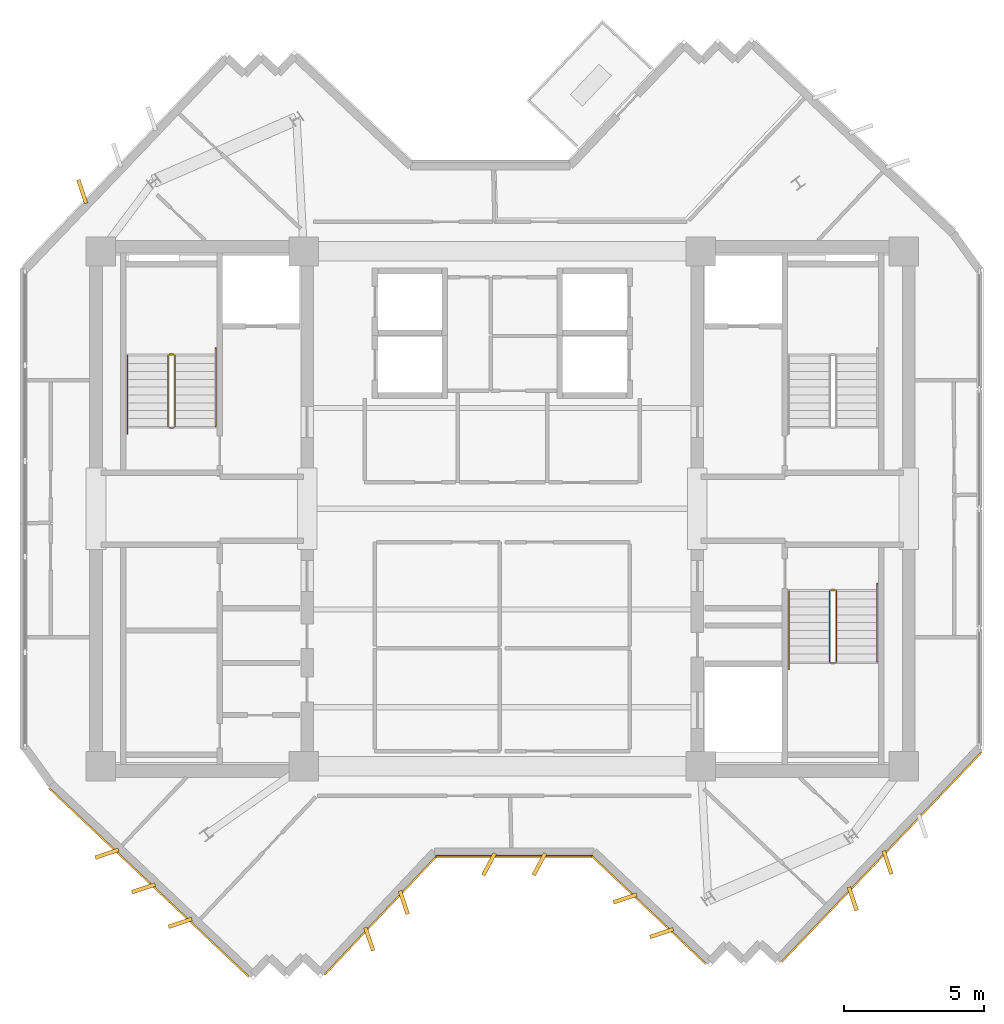
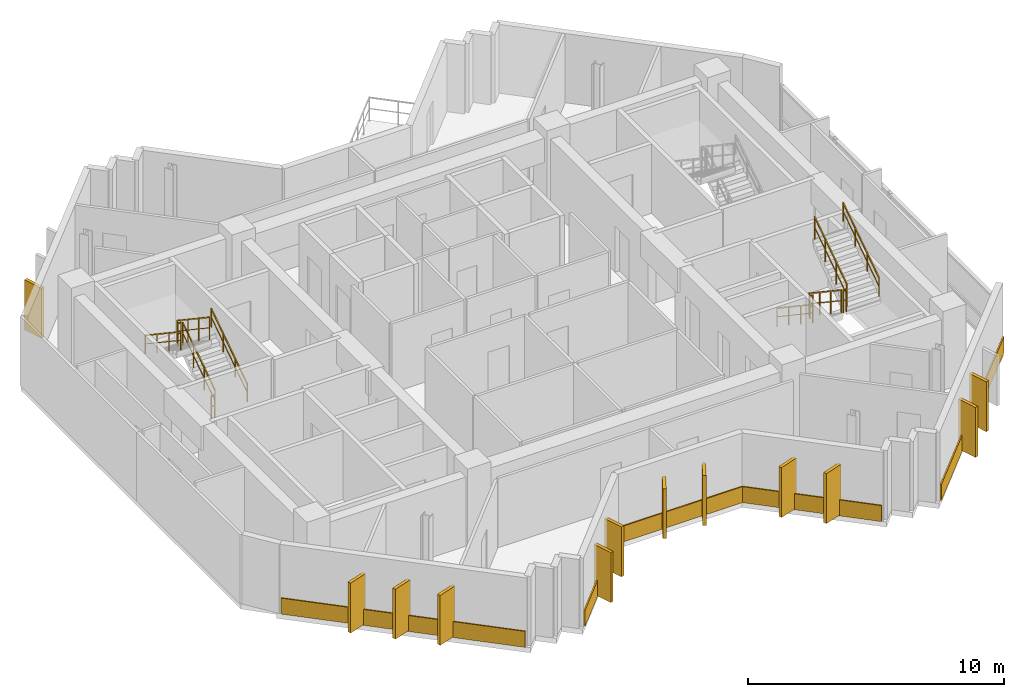
# One storey, part 8 of 9: 17 coverings, 12 railings.
"""IFC4 building model written with IfcOpenShell, lengths in metres."""

from ifc_helpers import new_model, si_unit, direction, frame, origin, origin_2d, place, context, subcontext, project, spatial, rectangle, extrude, source, transform, mapped, material, layer, layer_set, type_object, element, save


model = new_model("IFC4")

# Units and contexts
model_context = context("Model", 3, precision=1e-05, world=origin(), true_north=direction((0.0, 1.0)))
body_context = subcontext(model_context, "Body", "Model", "MODEL_VIEW")
ifc_project = project(units=[si_unit("LENGTHUNIT", "METRE"), si_unit("AREAUNIT", "SQUARE_METRE"), si_unit("VOLUMEUNIT", "CUBIC_METRE"), si_unit("PLANEANGLEUNIT", "RADIAN"), si_unit("MASSUNIT", "GRAM", prefix="KILO")], contexts=[model_context])

# Site, building, storey
site_placement = place(None, origin())
site = spatial("IfcSite", under=ifc_project, at=site_placement, CompositionType="ELEMENT")
building_placement = place(site_placement, origin())
building = spatial("IfcBuilding", under=site, at=building_placement, Name="Zahravan Cultural Tower", CompositionType="ELEMENT")
storey_placement = place(building_placement, frame((0.0, 0.0, 310.35009765625)))
storey = spatial("IfcBuildingStorey", under=building, at=storey_placement, Name="L75", CompositionType="ELEMENT", Elevation=310.35009765625)

# Railings
ifc_material_1 = material(Name="Steel ASTM A572 Grade 50", Category="steel")
railing_type_1 = type_object("IfcRailingType", Name="RL-STAIR-GRD1150", PredefinedType="BALUSTRADE", material=ifc_material_1)
railing_1_placement = place(storey_placement, frame((24.300048828125, 29.949951171875, 0.1875)))
element("IfcRailing", 1, at=railing_1_placement, inside=storey, type_object=railing_type_1, Name="L75 ST-W1 stair guard 1", PredefinedType="BALUSTRADE", context=body_context, shape_type="SweptSolid", body=[
    extrude(rectangle(XDim=0.05, YDim=0.05, at=origin_2d()), frame((0.0, 0.0, 1.0751953125), z_axis=(0.0, 0.830909170722, 0.55640807867), x_axis=(-1.0, 0.0, 0.0)), (0.0, 0.0, 1.0), 3.032958984375),
    extrude(rectangle(XDim=0.032, YDim=0.032, at=origin_2d()), frame((0.0, 0.0, 0.572021484375), z_axis=(0.0, 0.830909170722, 0.55640807867), x_axis=(-1.0, 0.0, 0.0)), (0.0, 0.0, 1.0), 3.032958984375),
    extrude(rectangle(XDim=0.04, YDim=0.04, at=origin_2d()), origin(), (0.0, 0.0, 1.0), 1.10009765625),
    extrude(rectangle(XDim=0.04, YDim=0.04, at=origin_2d()), frame((0.0, 0.840087890625, 0.5625)), (0.0, 0.0, 1.0), 1.10009765625),
    extrude(rectangle(XDim=0.04, YDim=0.04, at=origin_2d()), frame((0.0, 1.679931640625, 1.125)), (0.0, 0.0, 1.0), 1.10009765625),
    extrude(rectangle(XDim=0.04, YDim=0.04, at=origin_2d()), frame((0.0, 2.52001953125, 1.6875)), (0.0, 0.0, 1.0), 1.10009765625),
])
railing_2_placement = place(storey_placement, frame((24.25, 32.52001953125, 1.875)))
element("IfcRailing", 2, at=railing_2_placement, inside=storey, type_object=railing_type_1, Name="L75 ST-W1 stair guard 2", PredefinedType="BALUSTRADE", context=body_context, shape_type="SweptSolid", body=[
    extrude(rectangle(XDim=0.05, YDim=0.05, at=origin_2d()), frame((0.0, 0.0, 1.0751953125), z_axis=(-1.0, 0.0, 0.0), x_axis=(0.0, -1.0, 0.0)), (0.0, 0.0, 1.0), 0.14990234375),
    extrude(rectangle(XDim=0.032, YDim=0.032, at=origin_2d()), frame((0.0, 0.0, 0.572021484375), z_axis=(-1.0, 0.0, 0.0), x_axis=(0.0, -1.0, 0.0)), (0.0, 0.0, 1.0), 0.14990234375),
    extrude(rectangle(XDim=0.04, YDim=0.04, at=origin_2d()), origin(), (0.0, 0.0, 1.0), 1.10009765625),
    extrude(rectangle(XDim=0.04, YDim=0.04, at=origin_2d()), frame((-0.14990234375, 0.0, 0.0)), (0.0, 0.0, 1.0), 1.10009765625),
])
railing_3_placement = place(storey_placement, frame((24.050048828125, 32.469970703125, 2.0625)))
element("IfcRailing", 3, at=railing_3_placement, inside=storey, type_object=railing_type_1, Name="L75 ST-W1 stair guard 3", PredefinedType="BALUSTRADE", context=body_context, shape_type="SweptSolid", body=[
    extrude(rectangle(XDim=0.05, YDim=0.05, at=origin_2d()), frame((0.0, 0.0, 1.0751953125), z_axis=(0.0, -0.830909170722, 0.55640807867), x_axis=(1.0, 0.0, 0.0)), (0.0, 0.0, 1.0), 3.032958984375),
    extrude(rectangle(XDim=0.032, YDim=0.032, at=origin_2d()), frame((0.0, 0.0, 0.572021484375), z_axis=(0.0, -0.830909170722, 0.55640807867), x_axis=(1.0, 0.0, 0.0)), (0.0, 0.0, 1.0), 3.032958984375),
    extrude(rectangle(XDim=0.04, YDim=0.04, at=origin_2d()), origin(), (0.0, 0.0, 1.0), 1.10009765625),
    extrude(rectangle(XDim=0.04, YDim=0.04, at=origin_2d()), frame((0.0, -0.840087890625, 0.5625)), (0.0, 0.0, 1.0), 1.10009765625),
    extrude(rectangle(XDim=0.04, YDim=0.04, at=origin_2d()), frame((0.0, -1.679931640625, 1.125)), (0.0, 0.0, 1.0), 1.10009765625),
    extrude(rectangle(XDim=0.04, YDim=0.04, at=origin_2d()), frame((0.0, -2.52001953125, 1.6875)), (0.0, 0.0, 1.0), 1.10009765625),
])
railing_4_placement = place(storey_placement, frame((24.25, 29.89990234375, 0.0)))
element("IfcRailing", 4, at=railing_4_placement, inside=storey, type_object=railing_type_1, Name="L75 ST-W1 stair guard 4", PredefinedType="BALUSTRADE", context=body_context, shape_type="SweptSolid", body=[
    extrude(rectangle(XDim=0.05, YDim=0.05, at=origin_2d()), frame((0.0, 0.0, 1.0751953125), z_axis=(-1.0, 0.0, 0.0), x_axis=(0.0, -1.0, 0.0)), (0.0, 0.0, 1.0), 0.14990234375),
    extrude(rectangle(XDim=0.032, YDim=0.032, at=origin_2d()), frame((0.0, 0.0, 0.572021484375), z_axis=(-1.0, 0.0, 0.0), x_axis=(0.0, -1.0, 0.0)), (0.0, 0.0, 1.0), 0.14990234375),
    extrude(rectangle(XDim=0.04, YDim=0.04, at=origin_2d()), origin(), (0.0, 0.0, 1.0), 1.10009765625),
    extrude(rectangle(XDim=0.04, YDim=0.04, at=origin_2d()), frame((-0.14990234375, 0.0, 0.0)), (0.0, 0.0, 1.0), 1.10009765625),
])
railing_5_placement = place(storey_placement, frame((47.699951171875, 24.050048828125, 0.1875)))
element("IfcRailing", 5, at=railing_5_placement, inside=storey, type_object=railing_type_1, Name="L75 ST-E2 stair guard 1", PredefinedType="BALUSTRADE", context=body_context, shape_type="SweptSolid", body=[
    extrude(rectangle(XDim=0.05, YDim=0.05, at=origin_2d()), frame((0.0, 0.0, 1.0751953125), z_axis=(0.0, -0.830909170722, 0.55640807867), x_axis=(1.0, 0.0, 0.0)), (0.0, 0.0, 1.0), 3.032958984375),
    extrude(rectangle(XDim=0.032, YDim=0.032, at=origin_2d()), frame((0.0, 0.0, 0.572021484375), z_axis=(0.0, -0.830909170722, 0.55640807867), x_axis=(1.0, 0.0, 0.0)), (0.0, 0.0, 1.0), 3.032958984375),
    extrude(rectangle(XDim=0.04, YDim=0.04, at=origin_2d()), origin(), (0.0, 0.0, 1.0), 1.10009765625),
    extrude(rectangle(XDim=0.04, YDim=0.04, at=origin_2d()), frame((0.0, -0.840087890625, 0.5625)), (0.0, 0.0, 1.0), 1.10009765625),
    extrude(rectangle(XDim=0.04, YDim=0.04, at=origin_2d()), frame((0.0, -1.679931640625, 1.125)), (0.0, 0.0, 1.0), 1.10009765625),
    extrude(rectangle(XDim=0.04, YDim=0.04, at=origin_2d()), frame((0.0, -2.52001953125, 1.6875)), (0.0, 0.0, 1.0), 1.10009765625),
])
railing_6_placement = place(storey_placement, frame((47.75, 21.47998046875, 1.875)))
element("IfcRailing", 6, at=railing_6_placement, inside=storey, type_object=railing_type_1, Name="L75 ST-E2 stair guard 2", PredefinedType="BALUSTRADE", context=body_context, shape_type="SweptSolid", body=[
    extrude(rectangle(XDim=0.05, YDim=0.05, at=origin_2d()), frame((0.0, 0.0, 1.0751953125), z_axis=(1.0, 0.0, 0.0), x_axis=(0.0, 1.0, 0.0)), (0.0, 0.0, 1.0), 0.14990234375),
    extrude(rectangle(XDim=0.032, YDim=0.032, at=origin_2d()), frame((0.0, 0.0, 0.572021484375), z_axis=(1.0, 0.0, 0.0), x_axis=(0.0, 1.0, 0.0)), (0.0, 0.0, 1.0), 0.14990234375),
    extrude(rectangle(XDim=0.04, YDim=0.04, at=origin_2d()), origin(), (0.0, 0.0, 1.0), 1.10009765625),
    extrude(rectangle(XDim=0.04, YDim=0.04, at=origin_2d()), frame((0.14990234375, 0.0, 0.0)), (0.0, 0.0, 1.0), 1.10009765625),
])
railing_7_placement = place(storey_placement, frame((47.949951171875, 21.530029296875, 2.0625)))
element("IfcRailing", 7, at=railing_7_placement, inside=storey, type_object=railing_type_1, Name="L75 ST-E2 stair guard 3", PredefinedType="BALUSTRADE", context=body_context, shape_type="SweptSolid", body=[
    extrude(rectangle(XDim=0.05, YDim=0.05, at=origin_2d()), frame((0.0, 0.0, 1.0751953125), z_axis=(0.0, 0.830909170722, 0.55640807867), x_axis=(-1.0, 0.0, 0.0)), (0.0, 0.0, 1.0), 3.032958984375),
    extrude(rectangle(XDim=0.032, YDim=0.032, at=origin_2d()), frame((0.0, 0.0, 0.572021484375), z_axis=(0.0, 0.830909170722, 0.55640807867), x_axis=(-1.0, 0.0, 0.0)), (0.0, 0.0, 1.0), 3.032958984375),
    extrude(rectangle(XDim=0.04, YDim=0.04, at=origin_2d()), origin(), (0.0, 0.0, 1.0), 1.10009765625),
    extrude(rectangle(XDim=0.04, YDim=0.04, at=origin_2d()), frame((0.0, 0.840087890625, 0.5625)), (0.0, 0.0, 1.0), 1.10009765625),
    extrude(rectangle(XDim=0.04, YDim=0.04, at=origin_2d()), frame((0.0, 1.679931640625, 1.125)), (0.0, 0.0, 1.0), 1.10009765625),
    extrude(rectangle(XDim=0.04, YDim=0.04, at=origin_2d()), frame((0.0, 2.52001953125, 1.6875)), (0.0, 0.0, 1.0), 1.10009765625),
])
railing_8_placement = place(storey_placement, frame((47.75, 24.10009765625, 0.0)))
element("IfcRailing", 8, at=railing_8_placement, inside=storey, type_object=railing_type_1, Name="L75 ST-E2 stair guard 4", PredefinedType="BALUSTRADE", context=body_context, shape_type="SweptSolid", body=[
    extrude(rectangle(XDim=0.05, YDim=0.05, at=origin_2d()), frame((0.0, 0.0, 1.0751953125), z_axis=(1.0, 0.0, 0.0), x_axis=(0.0, 1.0, 0.0)), (0.0, 0.0, 1.0), 0.14990234375),
    extrude(rectangle(XDim=0.032, YDim=0.032, at=origin_2d()), frame((0.0, 0.0, 0.572021484375), z_axis=(1.0, 0.0, 0.0), x_axis=(0.0, 1.0, 0.0)), (0.0, 0.0, 1.0), 0.14990234375),
    extrude(rectangle(XDim=0.04, YDim=0.04, at=origin_2d()), origin(), (0.0, 0.0, 1.0), 1.10009765625),
    extrude(rectangle(XDim=0.04, YDim=0.04, at=origin_2d()), frame((0.14990234375, 0.0, 0.0)), (0.0, 0.0, 1.0), 1.10009765625),
])
railing_type_2 = type_object("IfcRailingType", Name="RL-STAIR-HR900", PredefinedType="HANDRAIL", material=ifc_material_1)
railing_9_placement = place(storey_placement, frame((25.75, 29.949951171875, 0.1875)))
element("IfcRailing", 9, at=railing_9_placement, inside=storey, type_object=railing_type_2, Name="L75 ST-W1 stair handrail 1", PredefinedType="HANDRAIL", context=body_context, shape_type="SweptSolid", body=[
    extrude(rectangle(XDim=0.05, YDim=0.05, at=origin_2d()), frame((0.0, 0.0, 0.875), z_axis=(0.0, 0.830911662861, 0.55640435703), x_axis=(-1.0, 0.0, 0.0)), (0.0, 0.0, 1.0), 3.369873046875),
    extrude(rectangle(XDim=0.032, YDim=0.032, at=origin_2d()), frame((0.0, 0.0, 0.468017578125), z_axis=(0.0, 0.830911662861, 0.55640435703), x_axis=(-1.0, 0.0, 0.0)), (0.0, 0.0, 1.0), 3.369873046875),
    extrude(rectangle(XDim=0.04, YDim=0.04, at=origin_2d()), origin(), (0.0, 0.0, 1.0), 0.89990234375),
    extrude(rectangle(XDim=0.04, YDim=0.04, at=origin_2d()), frame((0.0, 0.933349609375, 0.625)), (0.0, 0.0, 1.0), 0.89990234375),
    extrude(rectangle(XDim=0.04, YDim=0.04, at=origin_2d()), frame((0.0, 1.86669921875, 1.25)), (0.0, 0.0, 1.0), 0.89990234375),
    extrude(rectangle(XDim=0.04, YDim=0.04, at=origin_2d()), frame((0.0, 2.800048828125, 1.875)), (0.0, 0.0, 1.0), 0.89990234375),
])
for number, where, name in (
    (10, (22.60009765625, 32.469970703125, 2.0625), "L75 ST-W1 stair handrail 2"),
    (11, (46.25, 24.050048828125, 0.1875), "L75 ST-E2 stair handrail 1"),
):
    element("IfcRailing", number, at=place(storey_placement, frame(where)), inside=storey, type_object=railing_type_2, Name=name, PredefinedType="HANDRAIL", context=body_context, shape_type="SweptSolid", body=[
        extrude(rectangle(XDim=0.05, YDim=0.05, at=origin_2d()), frame((0.0, 0.0, 0.875), z_axis=(0.0, -0.830911662861, 0.55640435703), x_axis=(1.0, 0.0, 0.0)), (0.0, 0.0, 1.0), 3.369873046875),
        extrude(rectangle(XDim=0.032, YDim=0.032, at=origin_2d()), frame((0.0, 0.0, 0.468017578125), z_axis=(0.0, -0.830911662861, 0.55640435703), x_axis=(1.0, 0.0, 0.0)), (0.0, 0.0, 1.0), 3.369873046875),
        extrude(rectangle(XDim=0.04, YDim=0.04, at=origin_2d()), origin(), (0.0, 0.0, 1.0), 0.89990234375),
        extrude(rectangle(XDim=0.04, YDim=0.04, at=origin_2d()), frame((0.0, -0.933349609375, 0.625)), (0.0, 0.0, 1.0), 0.89990234375),
        extrude(rectangle(XDim=0.04, YDim=0.04, at=origin_2d()), frame((0.0, -1.86669921875, 1.25)), (0.0, 0.0, 1.0), 0.89990234375),
        extrude(rectangle(XDim=0.04, YDim=0.04, at=origin_2d()), frame((0.0, -2.800048828125, 1.875)), (0.0, 0.0, 1.0), 0.89990234375),
    ])
railing_10_placement = place(storey_placement, frame((49.39990234375, 21.530029296875, 2.0625)))
element("IfcRailing", 12, at=railing_10_placement, inside=storey, type_object=railing_type_2, Name="L75 ST-E2 stair handrail 2", PredefinedType="HANDRAIL", context=body_context, shape_type="SweptSolid", body=[
    extrude(rectangle(XDim=0.05, YDim=0.05, at=origin_2d()), frame((0.0, 0.0, 0.875), z_axis=(0.0, 0.830911662861, 0.55640435703), x_axis=(-1.0, 0.0, 0.0)), (0.0, 0.0, 1.0), 3.369873046875),
    extrude(rectangle(XDim=0.032, YDim=0.032, at=origin_2d()), frame((0.0, 0.0, 0.468017578125), z_axis=(0.0, 0.830911662861, 0.55640435703), x_axis=(-1.0, 0.0, 0.0)), (0.0, 0.0, 1.0), 3.369873046875),
    extrude(rectangle(XDim=0.04, YDim=0.04, at=origin_2d()), origin(), (0.0, 0.0, 1.0), 0.89990234375),
    extrude(rectangle(XDim=0.04, YDim=0.04, at=origin_2d()), frame((0.0, 0.933349609375, 0.625)), (0.0, 0.0, 1.0), 0.89990234375),
    extrude(rectangle(XDim=0.04, YDim=0.04, at=origin_2d()), frame((0.0, 1.86669921875, 1.25)), (0.0, 0.0, 1.0), 0.89990234375),
    extrude(rectangle(XDim=0.04, YDim=0.04, at=origin_2d()), frame((0.0, 2.800048828125, 1.875)), (0.0, 0.0, 1.0), 0.89990234375),
])

# Coverings
ifc_material_2 = material(Name="Terracotta ceramic cladding", Category="masonry")
ifc_layer = layer(ifc_material_2, 0.06005859375)
ifc_layer_set = layer_set([ifc_layer], Name="Terracotta ceramic cladding")
covering_type = type_object("IfcCoveringType", Name="COV-CLAD-TC60", PredefinedType="CLADDING", material=ifc_layer_set)
shared_shape_1 = source(origin(), body_context, "Body", "SweptSolid", [
    extrude(rectangle(XDim=9.820068359375, YDim=0.06005859375, at=origin_2d()), origin(), (0.0, 0.0, 1.0), 0.760009765625),
])
covering_1_placement = place(storey_placement, frame((23.371826171875, 13.63818359375, 0.02001953125), z_axis=(0.0, 0.0, 1.0), x_axis=(-0.726766513668, 0.686884586092, 0.0)))
element("IfcCovering", 13, at=covering_1_placement, inside=storey, type_object=covering_type, Name="L75 Terracotta Spandrel Cladding 20", PredefinedType="CLADDING", context=body_context, shape_type="MappedRepresentation", body=[
    mapped(shared_shape_1, transform((0.0, 0.0, 0.0), x_axis=(1.0, 0.0, 0.0), y_axis=(0.0, 1.0, 0.0), z_axis=(0.0, 0.0, 1.0), scale=1.0)),
])
shared_shape_2 = source(origin(), body_context, "Body", "SweptSolid", [
    extrude(rectangle(XDim=5.84521484375, YDim=0.06005859375, at=origin_2d()), origin(), (0.0, 0.0, 1.0), 0.760009765625),
])
covering_2_placement = place(storey_placement, frame((31.65478515625, 12.46630859375, 0.02001953125), z_axis=(0.0, 0.0, 1.0), x_axis=(-0.686871901519, -0.726778501955, 0.0)))
element("IfcCovering", 14, at=covering_2_placement, inside=storey, type_object=covering_type, Name="L75 Terracotta Spandrel Cladding 15", PredefinedType="CLADDING", context=body_context, shape_type="MappedRepresentation", body=[
    mapped(shared_shape_2, transform((0.0, 0.0, 0.0), x_axis=(1.0, 0.0, 0.0), y_axis=(0.0, 1.0, 0.0), z_axis=(0.0, 0.0, 1.0), scale=1.0)),
])
shared_shape_3 = source(origin(), body_context, "Body", "SweptSolid", [
    extrude(rectangle(XDim=10.3701171875, YDim=0.06005859375, at=origin_2d()), origin(), (0.0, 0.0, 1.0), 0.760009765625),
])
covering_3_placement = place(storey_placement, frame((49.56689453125, 14.555419921875, 0.02001953125), z_axis=(0.0, 0.0, 1.0), x_axis=(-0.690061786457, -0.723750461742, 0.0)))
element("IfcCovering", 15, at=covering_3_placement, inside=storey, type_object=covering_type, Name="L75 Terracotta Spandrel Cladding 08", PredefinedType="CLADDING", context=body_context, shape_type="MappedRepresentation", body=[
    mapped(shared_shape_3, transform((0.0, 0.0, 0.0), x_axis=(1.0, 0.0, 0.0), y_axis=(0.0, 1.0, 0.0), z_axis=(0.0, 0.0, 1.0), scale=1.0)),
])
shared_shape_4 = source(origin(), body_context, "Body", "SweptSolid", [
    extrude(rectangle(XDim=5.617919921875, YDim=0.06005859375, at=origin_2d()), origin(), (0.0, 0.0, 1.0), 0.760009765625),
])
covering_4_placement = place(storey_placement, frame((41.240478515625, 12.65625, 0.02001953125), z_axis=(0.0, 0.0, 1.0), x_axis=(-0.726766513668, 0.686884586092, 0.0)))
element("IfcCovering", 16, at=covering_4_placement, inside=storey, type_object=covering_type, Name="L75 Terracotta Spandrel Cladding 13", PredefinedType="CLADDING", context=body_context, shape_type="MappedRepresentation", body=[
    mapped(shared_shape_4, transform((0.0, 0.0, 0.0), x_axis=(1.0, 0.0, 0.0), y_axis=(0.0, 1.0, 0.0), z_axis=(0.0, 0.0, 1.0), scale=1.0)),
])
shared_shape_5 = source(origin(), body_context, "Body", "SweptSolid", [
    extrude(rectangle(XDim=5.599365234375, YDim=0.06005859375, at=origin_2d()), origin(), (0.0, 0.0, 1.0), 0.760009765625),
])
covering_5_placement = place(storey_placement, frame((36.426513671875, 14.574951171875, 0.02001953125), z_axis=(0.0, 0.0, 1.0), x_axis=(-1.0, 0.0, 0.0)))
element("IfcCovering", 17, at=covering_5_placement, inside=storey, type_object=covering_type, Name="L75 Terracotta Spandrel Cladding 14", PredefinedType="CLADDING", context=body_context, shape_type="MappedRepresentation", body=[
    mapped(shared_shape_5, transform((0.0, 0.0, 0.0), x_axis=(1.0, 0.0, 0.0), y_axis=(0.0, 1.0, 0.0), z_axis=(0.0, 0.0, 1.0), scale=1.0)),
])
shared_shape_6 = source(origin(), body_context, "Body", "SweptSolid", [
    extrude(rectangle(XDim=0.8798828125, YDim=0.139892578125, at=origin_2d()), origin(), (0.0, 0.0, 1.0), 2.3798828125),
])
for number, where, z_axis, x_axis, name in (
    (18, (49.773193359375, 14.358642578125, 0.050048828125), (0.0, 0.0, 1.0), (0.315069342719, -0.949068653617, 0.0), "L75 Herringbone Terracotta Fin 05"),
    (19, (48.531005859375, 13.055908203125, 0.050048828125), (0.0, 0.0, 1.0), (0.315069342719, -0.949068653617, 0.0), "L75 Herringbone Terracotta Fin 06"),
    (20, (41.698974609375, 11.8310546875, 0.050048828125), (0.0, 0.0, 1.0), (-0.947679302814, -0.319223963727, 0.0), "L75 Herringbone Terracotta Fin 07"),
    (21, (40.390625, 13.0673828125, 0.050048828125), (0.0, 0.0, 1.0), (-0.947679302814, -0.319223963727, 0.0), "L75 Herringbone Terracotta Fin 08"),
    (22, (37.326416015625, 14.2900390625, 0.050048828125), (0.0, 0.0, 1.0), (-0.469471562786, -0.882947592859, 0.0), "L75 Herringbone Terracotta Fin 09"),
    (23, (35.5263671875, 14.2900390625, 0.050048828125), (0.0, 0.0, 1.0), (-0.469471562786, -0.882947592859, 0.0), "L75 Herringbone Terracotta Fin 10"),
    (24, (32.480224609375, 12.924560546875, 0.050048828125), (0.0, 0.0, 1.0), (0.319240503802, -0.947673731161, 0.0), "L75 Herringbone Terracotta Fin 11"),
    (25, (31.243896484375, 11.616455078125, 0.050048828125), (0.0, 0.0, 1.0), (0.319240503802, -0.947673731161, 0.0), "L75 Herringbone Terracotta Fin 12"),
    (26, (24.484130859375, 12.194580078125, 0.050048828125), (0.0, 0.0, 1.0), (-0.947679302814, -0.319223963727, 0.0), "L75 Herringbone Terracotta Fin 13"),
    (27, (23.176025390625, 13.43115234375, 0.050048828125), (0.0, 0.0, 1.0), (-0.947679302814, -0.319223963727, 0.0), "L75 Herringbone Terracotta Fin 14"),
    (28, (21.867919921875, 14.66748046875, 0.050048828125), (0.0, 0.0, 1.0), (-0.947679302814, -0.319223963727, 0.0), "L75 Herringbone Terracotta Fin 15"),
    (29, (20.984619140625, 38.338623046875, 0.050048828125), (0.0, 0.0, 1.0), (-0.315069342719, 0.949068653617, 0.0), "L75 Herringbone Terracotta Fin 16"),
):
    element("IfcCovering", number, at=place(storey_placement, frame(where, z_axis=z_axis, x_axis=x_axis)), inside=storey, type_object=covering_type, Name=name, PredefinedType="CLADDING", context=body_context, shape_type="MappedRepresentation", body=[
        mapped(shared_shape_6, transform((0.0, 0.0, 0.0), x_axis=(1.0, 0.0, 0.0), y_axis=(0.0, 1.0, 0.0), z_axis=(0.0, 0.0, 1.0), scale=1.0)),
    ])

save(model, "model.ifc")
